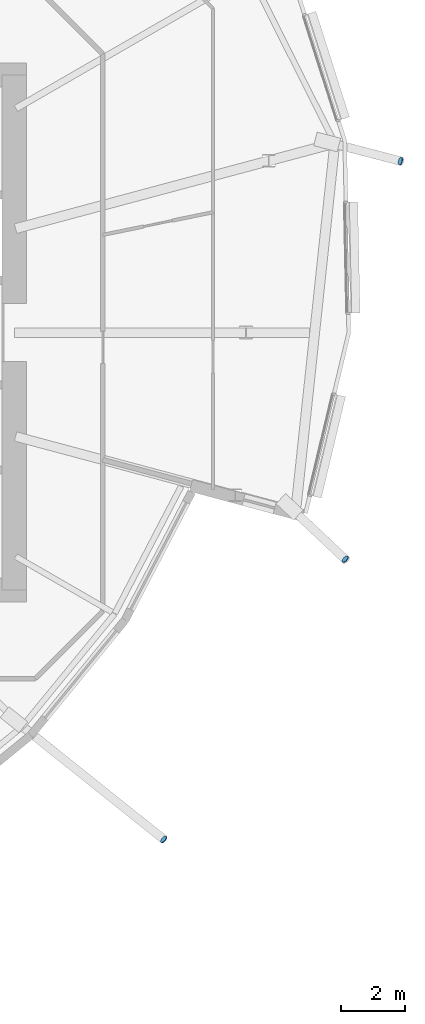
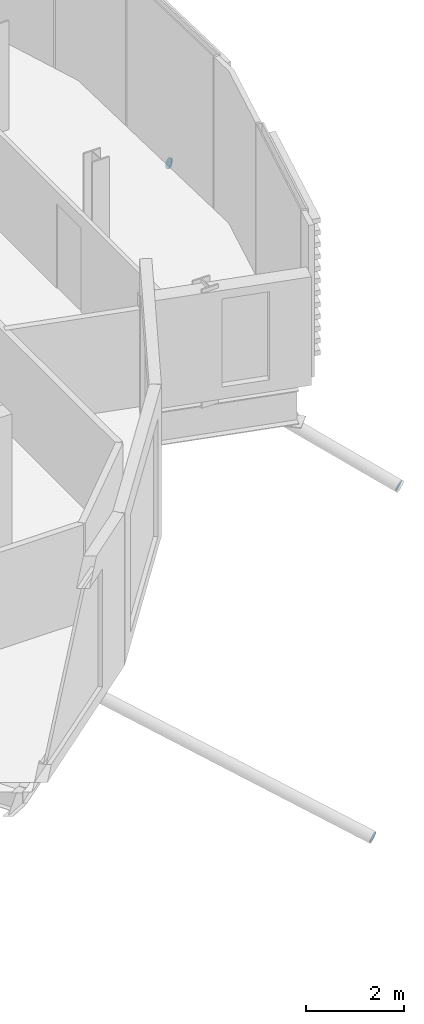
# One storey, part 34 of 43: 3 discrete accessories.
"""IFC4 building model written with IfcOpenShell, lengths in metres."""

from ifc_helpers import new_model, si_unit, direction, frame, origin, origin_2d, place, context, subcontext, project, spatial, circle, extrude, material, material_profile, profile_set, type_object, element, save


model = new_model("IFC4")

# Units and contexts
model_context = context("Model", 3, precision=1e-05, world=origin(), true_north=direction((0.0, 1.0)))
body_context = subcontext(model_context, "Body", "Model", "MODEL_VIEW")
ifc_project = project(units=[si_unit("LENGTHUNIT", "METRE"), si_unit("AREAUNIT", "SQUARE_METRE"), si_unit("VOLUMEUNIT", "CUBIC_METRE"), si_unit("PLANEANGLEUNIT", "RADIAN"), si_unit("MASSUNIT", "GRAM", prefix="KILO")], contexts=[model_context])

# Site, building, storey
site_placement = place(None, origin())
site = spatial("IfcSite", under=ifc_project, at=site_placement, CompositionType="ELEMENT")
building_placement = place(site_placement, origin())
building = spatial("IfcBuilding", under=site, at=building_placement, Name="Rimbun Link Towers", CompositionType="ELEMENT")
storey_placement = place(building_placement, frame((0.0, 0.0, 81.60009765625)))
storey = spatial("IfcBuildingStorey", under=building, at=storey_placement, Name="L19", CompositionType="ELEMENT", Elevation=81.60009765625)

# Discrete accessories
ifc_material = material(Name="Steel S355J2H", Category="steel")
ifc_material_profile = material_profile(ifc_material, circle(Radius=0.1240234375, at=origin_2d()), Name="PL D248")
ifc_profile_set = profile_set([ifc_material_profile], Name="Steel S355J2H")
discrete_accessory_type = type_object("IfcDiscreteAccessoryType", Name="Link foot sealing plate D248X20", PredefinedType="BRACKET", material=ifc_profile_set)
discrete_accessory_1_placement = place(storey_placement, frame((48.385498046875, -15.7333984375, -3.80078125), z_axis=(0.690769555597, -0.557463150131, -0.460513037065), x_axis=(0.628019268259, 0.77819778893, 0.0)))
element("IfcDiscreteAccessory", 1, at=discrete_accessory_1_placement, inside=storey, type_object=discrete_accessory_type, Name="Link foot sealing plate T2 L19 18", PredefinedType="BRACKET", context=body_context, shape_type="SweptSolid", body=[
    extrude(circle(Radius=0.1240234375, at=origin_2d()), origin(), (0.0, 0.0, 1.0), 0.020263671875),
])
discrete_accessory_2_placement = place(storey_placement, frame((54.020751953125, -7.034423828125, -2.26611328125), z_axis=(0.649732321013, -0.600695919427, -0.465845815066), x_axis=(0.678855308406, 0.734272068275, 0.0)))
element("IfcDiscreteAccessory", 2, at=discrete_accessory_2_placement, inside=storey, type_object=discrete_accessory_type, Name="Link foot sealing plate T2 L19 20", PredefinedType="BRACKET", context=body_context, shape_type="SweptSolid", body=[
    extrude(circle(Radius=0.1240234375, at=origin_2d()), origin(), (0.0, 0.0, 1.0), 0.02001953125),
])
discrete_accessory_3_placement = place(storey_placement, frame((55.735595703125, 5.326904296875, -2.310302734375), z_axis=(0.860432253463, -0.218137754399, -0.460513037065), x_axis=(0.245746670188, 0.969334087965, 0.0)))
element("IfcDiscreteAccessory", 3, at=discrete_accessory_3_placement, inside=storey, type_object=discrete_accessory_type, Name="Link foot sealing plate T2 L19 22", PredefinedType="BRACKET", context=body_context, shape_type="SweptSolid", body=[
    extrude(circle(Radius=0.1240234375, at=origin_2d()), origin(), (0.0, 0.0, 1.0), 0.020263671875),
])

save(model, "model.ifc")
